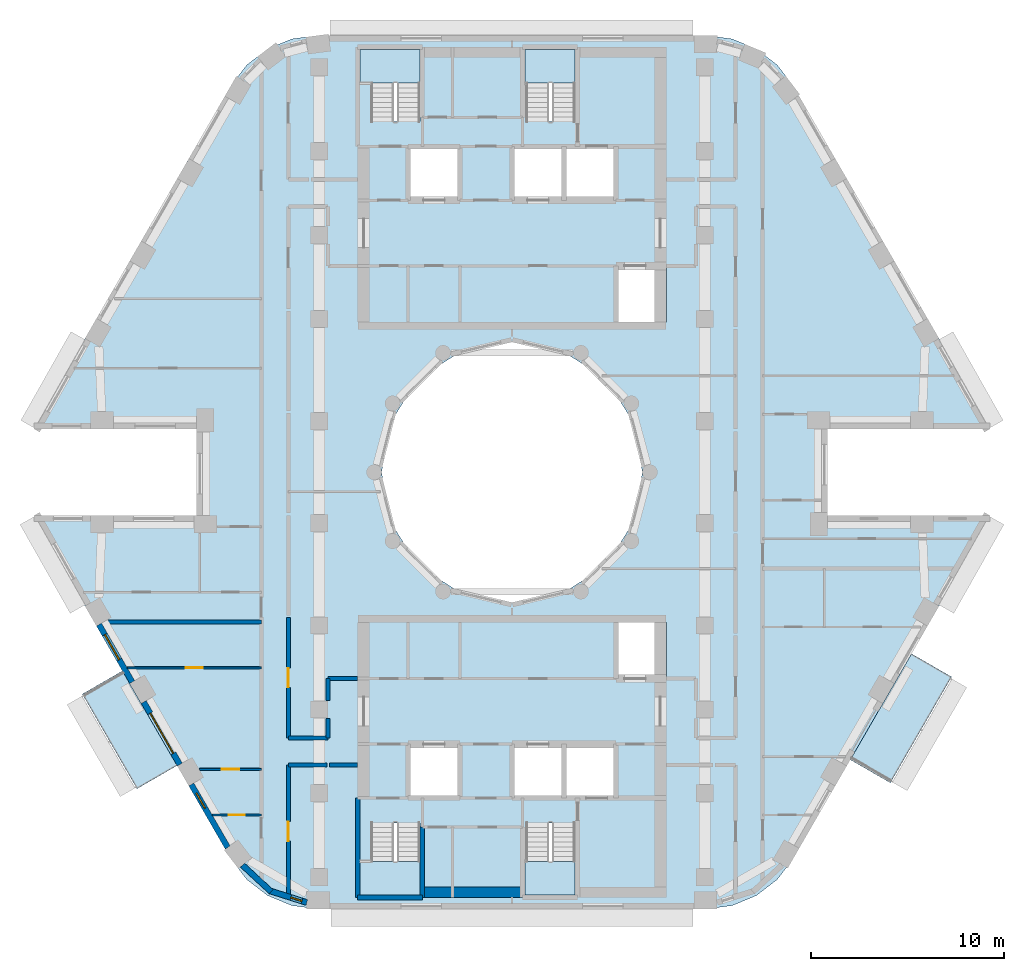
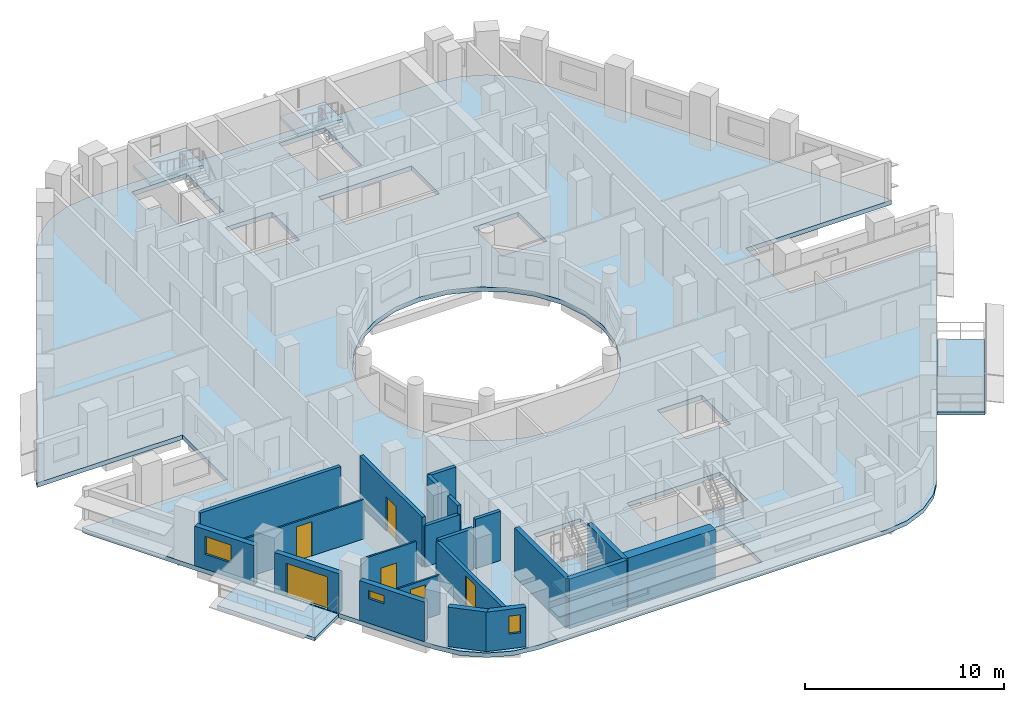
# One storey, part 2 of 15: 21 walls, 7 slabs, 6 doors, 3 windows, 9 openings, 4 elements without a shape of their own.
"""IFC4 building model written with IfcOpenShell, lengths in metres."""

from ifc_helpers import new_model, si_unit, direction, frame, frame_2d, origin, place, context, subcontext, project, spatial, polyline, rectangle, outline, extrude, material, layer, layer_set, type_object, element, fill, aggregate, save


model = new_model("IFC4")

# Units and contexts
model_context = context("Model", 3, precision=1e-05, world=origin(), true_north=direction((0.0, 1.0)))
body_context = subcontext(model_context, "Body", "Model", "MODEL_VIEW")
ifc_project = project(units=[si_unit("LENGTHUNIT", "METRE"), si_unit("AREAUNIT", "SQUARE_METRE"), si_unit("VOLUMEUNIT", "CUBIC_METRE"), si_unit("PLANEANGLEUNIT", "RADIAN"), si_unit("MASSUNIT", "GRAM", prefix="KILO")], contexts=[model_context])

# Site, building, storey
site_placement = place(None, origin())
site = spatial("IfcSite", under=ifc_project, at=site_placement, CompositionType="ELEMENT")
building_placement = place(site_placement, origin())
building = spatial("IfcBuilding", under=site, at=building_placement, Name="Nakaniwa Court", CompositionType="ELEMENT")
storey_placement = place(building_placement, frame((0.0, 0.0, 189.89990234375)))
storey = spatial("IfcBuildingStorey", under=building, at=storey_placement, Name="L49", CompositionType="ELEMENT", Elevation=189.89990234375)

# Slabs
ifc_material_1 = material(Name="Charcoal ceramic paver")
ifc_layer_1 = layer(ifc_material_1, 0.02, Name="Ceramic paver")
ifc_material_2 = material(Name="Cement sand screed")
ifc_layer_2 = layer(ifc_material_2, 0.03, Name="Falls screed")
ifc_material_3 = material(Name="Concrete C40/50", Category="concrete")
ifc_layer_3 = layer(ifc_material_3, 0.15, Name="Balcony slab")
ifc_layer_set_1 = layer_set([ifc_layer_1, ifc_layer_2, ifc_layer_3], Name="Concrete C40/50 balcony slab with ceramic paver finish")
slab_type_1 = type_object("IfcSlabType", Name="Balcony slab 200", PredefinedType="FLOOR", material=ifc_layer_set_1)
slab_1_placement = place(storey_placement, frame((0.0, 0.0, -0.25)))
element("IfcSlab", 1, at=slab_1_placement, inside=storey, type_object=slab_type_1, Name="L49 balcony 01", PredefinedType="FLOOR", context=body_context, shape_type="SweptSolid", body=[
    extrude(outline(polyline([(59.794677734375, 69.696533203125), (62.629150390625, 64.787353515625), (60.55078125, 63.58740234375), (57.71630859375, 68.49658203125), (59.794677734375, 69.696533203125)])), origin(), (0.0, 0.0, 1.0), 0.2001953125),
])
slab_2_placement = place(storey_placement, frame((0.0, 0.0, -0.25)))
element("IfcSlab", 2, at=slab_2_placement, inside=storey, type_object=slab_type_1, Name="L49 balcony 02", PredefinedType="FLOOR", context=body_context, shape_type="SweptSolid", body=[
    extrude(outline(polyline([(97.546142578125, 65.0908203125), (100.71923828125, 70.58642578125), (102.797607421875, 69.386474609375), (99.62451171875, 63.890625), (97.546142578125, 65.0908203125)])), origin(), (0.0, 0.0, 1.0), 0.2001953125),
])
ifc_material_4 = material(Name="Concrete C80/100", Category="concrete")
ifc_layer_4 = layer(ifc_material_4, 0.27490234375)
ifc_layer_set_2 = layer_set([ifc_layer_4], Name="Concrete C80/100")
slab_type_2 = type_object("IfcSlabType", Name="Concrete C80/100 post tensioned floor slab 275", PredefinedType="FLOOR", material=ifc_layer_set_2)
slab_3_placement = place(storey_placement, frame((0.0, 0.0, -0.27490234375)))
element("IfcSlab", 3, at=slab_3_placement, inside=storey, type_object=slab_type_2, Name="FLOOR SLAB", PredefinedType="FLOOR", context=body_context, shape_type="SweptSolid", body=[
    extrude(outline(polyline([(96.349609375, 82.25), (104.7978515625, 82.25), (104.65283203125, 82.60009765625), (94.578125, 100.050048828125), (93.751708984375, 101.126953125), (92.6748046875, 101.953369140625), (91.420654296875, 102.472900390625), (90.07470703125, 102.64990234375), (69.92529296875, 102.64990234375), (68.579345703125, 102.472900390625), (67.3251953125, 101.953369140625), (66.248291015625, 101.126953125), (65.421875, 100.050048828125), (55.34716796875, 82.60009765625), (55.2021484375, 82.25), (63.650390625, 82.25), (63.650390625, 77.75), (55.2021484375, 77.75), (55.34716796875, 77.39990234375), (65.421875, 59.949951171875), (66.248291015625, 58.873046875), (67.3251953125, 58.046630859375), (68.579345703125, 57.527099609375), (69.92529296875, 57.35009765625), (90.07470703125, 57.35009765625), (91.420654296875, 57.527099609375), (92.6748046875, 58.046630859375), (93.751708984375, 58.873046875), (94.578125, 59.949951171875), (104.65283203125, 77.39990234375), (104.7978515625, 77.75), (96.349609375, 77.75), (96.349609375, 82.25)]), holes=[polyline([(81.501953125, 86.580810546875), (80.0, 86.75), (78.498046875, 86.580810546875), (77.0712890625, 86.08154296875), (75.79150390625, 85.27734375), (74.72265625, 84.20849609375), (73.91845703125, 82.9287109375), (73.419189453125, 81.501953125), (73.25, 80.0), (73.419189453125, 78.498046875), (73.91845703125, 77.0712890625), (74.72265625, 75.79150390625), (75.79150390625, 74.72265625), (77.0712890625, 73.91845703125), (78.498046875, 73.419189453125), (80.0, 73.25), (81.501953125, 73.419189453125), (82.9287109375, 73.91845703125), (84.20849609375, 74.72265625), (85.27734375, 75.79150390625), (86.08154296875, 77.0712890625), (86.580810546875, 78.498046875), (86.75, 80.0), (86.580810546875, 81.501953125), (86.08154296875, 82.9287109375), (85.27734375, 84.20849609375), (84.20849609375, 85.27734375), (82.9287109375, 86.08154296875), (81.501953125, 86.580810546875)]), polyline([(72.675048828125, 61.81005859375), (72.675048828125, 59.864990234375), (72.0849609375, 59.864990234375), (72.0849609375, 58.034912109375), (75.264892578125, 58.034912109375), (75.264892578125, 59.864990234375), (75.22509765625, 59.864990234375), (75.22509765625, 61.81005859375), (72.675048828125, 61.81005859375)]), polyline([(77.300048828125, 65.89990234375), (74.60009765625, 65.89990234375), (74.60009765625, 63.10009765625), (77.300048828125, 63.10009765625), (77.300048828125, 65.89990234375)]), polyline([(80.0, 65.89990234375), (80.0, 63.10009765625), (82.699951171875, 63.10009765625), (85.39990234375, 63.10009765625), (85.39990234375, 65.89990234375), (82.699951171875, 65.89990234375), (80.0, 65.89990234375)]), polyline([(77.300048828125, 96.89990234375), (74.60009765625, 96.89990234375), (74.60009765625, 94.10009765625), (77.300048828125, 94.10009765625), (77.300048828125, 96.89990234375)]), polyline([(80.0, 96.89990234375), (80.0, 94.10009765625), (82.699951171875, 94.10009765625), (85.39990234375, 94.10009765625), (85.39990234375, 96.89990234375), (82.699951171875, 96.89990234375), (80.0, 96.89990234375)]), polyline([(75.264892578125, 100.135009765625), (75.264892578125, 101.965087890625), (72.0849609375, 101.965087890625), (72.0849609375, 100.135009765625), (72.675048828125, 100.135009765625), (72.675048828125, 98.18994140625), (75.22509765625, 98.18994140625), (75.22509765625, 100.135009765625), (75.264892578125, 100.135009765625)]), polyline([(83.27490234375, 61.81005859375), (80.72509765625, 61.81005859375), (80.72509765625, 59.864990234375), (80.635009765625, 59.864990234375), (80.635009765625, 58.034912109375), (83.31494140625, 58.034912109375), (83.31494140625, 59.864990234375), (83.27490234375, 59.864990234375), (83.27490234375, 61.81005859375)]), polyline([(88.0, 72.199951171875), (85.39990234375, 72.199951171875), (85.39990234375, 69.300048828125), (88.0, 69.300048828125), (88.0, 72.199951171875)]), polyline([(88.0, 90.699951171875), (85.39990234375, 90.699951171875), (85.39990234375, 87.800048828125), (88.0, 87.800048828125), (88.0, 90.699951171875)]), polyline([(83.31494140625, 100.135009765625), (83.31494140625, 101.965087890625), (80.635009765625, 101.965087890625), (80.635009765625, 100.135009765625), (80.72509765625, 100.135009765625), (80.72509765625, 98.18994140625), (83.27490234375, 98.18994140625), (83.27490234375, 100.135009765625), (83.31494140625, 100.135009765625)])]), origin(), (0.0, 0.0, 1.0), 0.27490234375),
])

# Stair, slab
stair_type = type_object("IfcStairType", Name="Dog leg stair 1200 wide 18 risers", PredefinedType="HALF_TURN_STAIR", material=ifc_material_4)
stair_1_placement = place(storey_placement, origin())
stair_1 = element("IfcStair", 4, at=stair_1_placement, inside=storey, type_object=stair_type, Name="L49 Stair ST1", PredefinedType="HALF_TURN_STAIR")
ifc_layer_5 = layer(ifc_material_4, 0.199951171875)
ifc_layer_set_3 = layer_set([ifc_layer_5], Name="Concrete C80/100")
slab_type_3 = type_object("IfcSlabType", Name="Stair landing concrete", PredefinedType="LANDING", material=ifc_layer_set_3)
slab_4_placement = place(storey_placement, frame((0.0, 0.0, 1.4501953125)))
slab_4 = element("IfcSlab", 5, at=slab_4_placement, type_object=slab_type_3, Name="ST1 landing 1", PredefinedType="LANDING", context=body_context, shape_type="SweptSolid", body=[
    extrude(outline(polyline([(75.22509765625, 100.175048828125), (75.22509765625, 101.925048828125), (72.125, 101.925048828125), (72.125, 100.175048828125), (75.22509765625, 100.175048828125)])), origin(), (0.0, 0.0, 1.0), 0.199951171875),
])
aggregate(stair_1, [slab_4])

stair_2_placement = place(storey_placement, origin())
stair_2 = element("IfcStair", 6, at=stair_2_placement, inside=storey, type_object=stair_type, Name="L49 Stair ST2", PredefinedType="HALF_TURN_STAIR")
slab_5_placement = place(storey_placement, frame((0.0, 0.0, 1.4501953125)))
slab_5 = element("IfcSlab", 7, at=slab_5_placement, type_object=slab_type_3, Name="ST2 landing 1", PredefinedType="LANDING", context=body_context, shape_type="SweptSolid", body=[
    extrude(outline(polyline([(83.27490234375, 100.175048828125), (83.27490234375, 101.925048828125), (80.675048828125, 101.925048828125), (80.675048828125, 100.175048828125), (83.27490234375, 100.175048828125)])), origin(), (0.0, 0.0, 1.0), 0.199951171875),
])
aggregate(stair_2, [slab_5])

stair_3_placement = place(storey_placement, origin())
stair_3 = element("IfcStair", 8, at=stair_3_placement, inside=storey, type_object=stair_type, Name="L49 Stair ST3", PredefinedType="HALF_TURN_STAIR")
slab_6_placement = place(storey_placement, frame((0.0, 0.0, 1.4501953125)))
slab_6 = element("IfcSlab", 9, at=slab_6_placement, type_object=slab_type_3, Name="ST3 landing 1", PredefinedType="LANDING", context=body_context, shape_type="SweptSolid", body=[
    extrude(outline(polyline([(75.22509765625, 58.074951171875), (75.22509765625, 59.824951171875), (72.125, 59.824951171875), (72.125, 58.074951171875), (75.22509765625, 58.074951171875)])), origin(), (0.0, 0.0, 1.0), 0.199951171875),
])
aggregate(stair_3, [slab_6])

stair_4_placement = place(storey_placement, origin())
stair_4 = element("IfcStair", 10, at=stair_4_placement, inside=storey, type_object=stair_type, Name="L49 Stair ST4", PredefinedType="HALF_TURN_STAIR")
slab_7_placement = place(storey_placement, frame((0.0, 0.0, 1.4501953125)))
slab_7 = element("IfcSlab", 11, at=slab_7_placement, type_object=slab_type_3, Name="ST4 landing 1", PredefinedType="LANDING", context=body_context, shape_type="SweptSolid", body=[
    extrude(outline(polyline([(83.27490234375, 58.074951171875), (83.27490234375, 59.824951171875), (80.675048828125, 59.824951171875), (80.675048828125, 58.074951171875), (83.27490234375, 58.074951171875)])), origin(), (0.0, 0.0, 1.0), 0.199951171875),
])
aggregate(stair_4, [slab_7])

# Walls
ifc_material_5 = material(Name="Acoustic double stud partition")
ifc_layer_6 = layer(ifc_material_5, 0.199951171875)
ifc_layer_set_4 = layer_set([ifc_layer_6], Name="Acoustic double stud partition")
wall_type_1 = type_object("IfcWallType", Name="Acoustic double stud partition 200", PredefinedType="PARTITIONING", material=ifc_layer_set_4)
wall_1_placement = place(storey_placement, frame((68.39990234375, 64.824951171875, 0.0), z_axis=(0.0, 0.0, 1.0), x_axis=(1.0, 0.0, 0.0)))
element("IfcWall", 12, at=wall_1_placement, inside=storey, type_object=wall_type_1, Name="Partition PW-074", PredefinedType="PARTITIONING", context=body_context, shape_type="SweptSolid", body=[
    extrude(rectangle(XDim=2.012939453125, YDim=0.199951171875, at=frame_2d((1.00634765625, 0.0))), origin(), (0.0, 0.0, 1.0), 2.505126953125),
])
wall_2_placement = place(storey_placement, frame((70.527099609375, 64.824951171875, 0.0), z_axis=(0.0, 0.0, 1.0), x_axis=(1.0, 0.0, 0.0)))
element("IfcWall", 13, at=wall_2_placement, inside=storey, type_object=wall_type_1, Name="Partition PW-075", PredefinedType="PARTITIONING", context=body_context, shape_type="SweptSolid", body=[
    extrude(rectangle(XDim=1.472900390625, YDim=0.199951171875, at=frame_2d((0.736328125, 0.0))), origin(), (0.0, 0.0, 1.0), 3.025146484375),
])
wall_3_placement = place(storey_placement, frame((70.449951171875, 69.300048828125, 0.0), z_axis=(0.0, 0.0, 1.0), x_axis=(1.0, 0.0, 0.0)))
element("IfcWall", 14, at=wall_3_placement, inside=storey, type_object=wall_type_1, Name="Partition PW-079", PredefinedType="PARTITIONING", context=body_context, shape_type="SweptSolid", body=[
    extrude(rectangle(XDim=1.550048828125, YDim=0.199951171875, at=frame_2d((0.77490234375, 0.0))), origin(), (0.0, 0.0, 1.0), 3.025146484375),
])
wall_4_placement = place(storey_placement, frame((68.39990234375, 66.22509765625, 0.0), z_axis=(0.0, 0.0, 1.0), x_axis=(1.0, 0.0, 0.0)))
element("IfcWall", 15, at=wall_4_placement, inside=storey, type_object=wall_type_1, Name="Partition PW-085", PredefinedType="PARTITIONING", context=body_context, shape_type="SweptSolid", body=[
    extrude(rectangle(XDim=2.050048828125, YDim=0.199951171875, at=frame_2d((1.02490234375, 0.0))), origin(), (0.0, 0.0, 1.0), 2.505126953125),
])

# Wall, opening, door
wall_5_placement = place(storey_placement, frame((68.39990234375, 64.824951171875, 0.0), z_axis=(0.0, 0.0, 1.0), x_axis=(0.0, -1.0, 0.0)))
wall_5 = element("IfcWall", 16, at=wall_5_placement, inside=storey, type_object=wall_type_1, Name="Partition PW-095", PredefinedType="PARTITIONING", context=body_context, shape_type="SweptSolid", body=[
    extrude(rectangle(XDim=6.898681640625, YDim=0.199951171875, at=frame_2d((3.44921875, 0.0))), origin(), (0.0, 0.0, 1.0), 2.405029296875),
])
opening_1_placement = place(wall_5_placement, frame((2.949951171875, 0.0, 0.0)))
opening_1 = element("IfcOpeningElement", 17, at=opening_1_placement, cuts=wall_5, Name="Opening D-02-05", PredefinedType="OPENING", context=body_context, shape_type="SweptSolid", body=[
    extrude(rectangle(XDim=1.0, YDim=2.10009765625, at=frame_2d((0.5, 1.050048828125))), frame((0.0, 0.10986328125, 0.0), z_axis=(0.0, -1.0, 0.0), x_axis=(1.0, 0.0, 0.0)), (0.0, 0.0, 1.0), 0.219970703125),
])
ifc_material_6 = material(Name="Solid core timber door set, black veneer", Category="wood")
door_type_1 = type_object("IfcDoorType", Name="Internal door 1000", OperationType="NOTDEFINED", PredefinedType="DOOR", material=ifc_material_6)
door_1_placement = place(opening_1_placement, origin())
door_1 = element("IfcDoor", 18, at=door_1_placement, inside=storey, type_object=door_type_1, Name="Door D-02-05 L49-036", OperationType="SINGLE_SWING_LEFT", OverallHeight=2.10009765625, OverallWidth=1.0, PredefinedType="DOOR", context=body_context, shape_type="SweptSolid", body=[
    extrude(rectangle(XDim=1.0, YDim=2.10009765625, at=frame_2d((0.5, 1.050048828125))), frame((0.0, 0.02490234375, 0.0), z_axis=(0.0, -1.0, 0.0), x_axis=(1.0, 0.0, 0.0)), (0.0, 0.0, 1.0), 0.050048828125),
])
fill(opening_1, door_1)

wall_6_placement = place(storey_placement, frame((68.39990234375, 72.462890625, 0.0), z_axis=(0.0, 0.0, 1.0), x_axis=(0.0, -1.0, 0.0)))
wall_6 = element("IfcWall", 19, at=wall_6_placement, inside=storey, type_object=wall_type_1, Name="Partition PW-096", PredefinedType="PARTITIONING", context=body_context, shape_type="SweptSolid", body=[
    extrude(rectangle(XDim=6.23779296875, YDim=0.199951171875, at=frame_2d((3.118896484375, 0.0))), origin(), (0.0, 0.0, 1.0), 3.025146484375),
])
opening_2_placement = place(wall_6_placement, frame((2.6201171875, 0.0, 0.0)))
opening_2 = element("IfcOpeningElement", 20, at=opening_2_placement, cuts=wall_6, Name="Opening D-02-06", PredefinedType="OPENING", context=body_context, shape_type="SweptSolid", body=[
    extrude(rectangle(XDim=1.0, YDim=2.10009765625, at=frame_2d((0.5, 1.050048828125))), frame((0.0, 0.10986328125, 0.0), z_axis=(0.0, -1.0, 0.0), x_axis=(1.0, 0.0, 0.0)), (0.0, 0.0, 1.0), 0.219970703125),
])
door_2_placement = place(opening_2_placement, origin())
door_2 = element("IfcDoor", 21, at=door_2_placement, inside=storey, type_object=door_type_1, Name="Door D-02-06 L49-041", OperationType="SINGLE_SWING_RIGHT", OverallHeight=2.10009765625, OverallWidth=1.0, PredefinedType="DOOR", context=body_context, shape_type="SweptSolid", body=[
    extrude(rectangle(XDim=1.0, YDim=2.10009765625, at=frame_2d((0.5, 1.050048828125))), frame((0.0, 0.02490234375, 0.0), z_axis=(0.0, -1.0, 0.0), x_axis=(1.0, 0.0, 0.0)), (0.0, 0.0, 1.0), 0.050048828125),
])
fill(opening_2, door_2)

# Walls
wall_7_placement = place(storey_placement, frame((70.449951171875, 66.22509765625, 0.0), z_axis=(0.0, 0.0, 1.0), x_axis=(0.0, 1.0, 0.0)))
element("IfcWall", 22, at=wall_7_placement, inside=storey, type_object=wall_type_1, Name="Partition PW-103", PredefinedType="PARTITIONING", context=body_context, shape_type="SweptSolid", body=[
    extrude(rectangle(XDim=1.0078125, YDim=0.199951171875, at=frame_2d((0.50390625, 0.0))), origin(), (0.0, 0.0, 1.0), 3.025146484375),
])
wall_8_placement = place(storey_placement, frame((70.449951171875, 68.167236328125, 0.0), z_axis=(0.0, 0.0, 1.0), x_axis=(0.0, 1.0, 0.0)))
element("IfcWall", 23, at=wall_8_placement, inside=storey, type_object=wall_type_1, Name="Partition PW-104", PredefinedType="PARTITIONING", context=body_context, shape_type="SweptSolid", body=[
    extrude(rectangle(XDim=1.1328125, YDim=0.199951171875, at=frame_2d((0.56640625, 0.0))), origin(), (0.0, 0.0, 1.0), 3.025146484375),
])
wall_9_placement = place(storey_placement, frame((58.8408203125, 72.22509765625, 0.0), z_axis=(0.0, 0.0, 1.0), x_axis=(1.0, 0.0, 0.0)))
element("IfcWall", 24, at=wall_9_placement, inside=storey, type_object=wall_type_1, Name="Partition PW-125", PredefinedType="PARTITIONING", context=body_context, shape_type="SweptSolid", body=[
    extrude(rectangle(XDim=8.158203125, YDim=0.199951171875, at=frame_2d((4.0791015625, 0.0))), origin(), (0.0, 0.0, 1.0), 3.025146484375),
])

# Wall, opening, window
ifc_material_7 = material(Name="Charcoal ceramic cladding")
ifc_layer_7 = layer(ifc_material_7, 0.02, Name="Ceramic cladding")
ifc_material_8 = material(Name="Ventilated air cavity")
ifc_layer_8 = layer(ifc_material_8, 0.04, ventilated=True, Name="Ventilated cavity")
ifc_material_9 = material(Name="Mineral wool insulation")
ifc_layer_9 = layer(ifc_material_9, 0.1, Name="Insulation")
ifc_material_10 = material(Name="Cement bonded sheathing board")
ifc_layer_10 = layer(ifc_material_10, 0.012, Name="Sheathing")
ifc_material_11 = material(Name="Cold-formed galvanised stud frame with mineral wool infill")
ifc_layer_11 = layer(ifc_material_11, 0.1, Name="Stud frame")
ifc_material_12 = material(Name="Fire-rated gypsum plasterboard lining")
ifc_layer_12 = layer(ifc_material_12, 0.028, Name="Lining")
ifc_layer_set_5 = layer_set([ifc_layer_7, ifc_layer_8, ifc_layer_9, ifc_layer_10, ifc_layer_11, ifc_layer_12], Name="Charcoal ceramic faced external wall system")
wall_type_2 = type_object("IfcWallType", Name="Black ceramic faced external wall 300", PredefinedType="SOLIDWALL", material=ifc_layer_set_5)
wall_10_placement = place(storey_placement, frame((58.579345703125, 72.101806640625, 0.0), z_axis=(0.0, 0.0, 1.0), x_axis=(0.499955427682, -0.866051136095, 0.0)))
wall_10 = element("IfcWall", 25, at=wall_10_placement, inside=storey, type_object=wall_type_2, Name="L49 external wall 21", PredefinedType="SOLIDWALL", context=body_context, shape_type="SweptSolid", body=[
    extrude(rectangle(XDim=3.447021484375, YDim=0.300048828125, at=frame_2d((1.7236328125, 0.0))), origin(), (0.0, 0.0, 1.0), 2.425048828125),
])
opening_3_placement = place(wall_10_placement, frame((0.607421875, 0.0, 0.89990234375)))
opening_3 = element("IfcOpeningElement", 26, at=opening_3_placement, cuts=wall_10, Name="Opening W5.24", PredefinedType="OPENING", context=body_context, shape_type="SweptSolid", body=[
    extrude(rectangle(XDim=1.5, YDim=1.10009765625, at=frame_2d((0.75, 0.550048828125))), frame((0.0, 0.159912109375, 0.0), z_axis=(0.0, -1.0, 0.0), x_axis=(1.0, 0.0, 0.0)), (0.0, 0.0, 1.0), 0.320068359375),
])
ifc_material_13 = material(Name="Black anodised aluminium frame with dark low-E laminated double glazing", Category="aluminium")
window_type_1 = type_object("IfcWindowType", Name="Dark glass window 1500x1100 sill 900", PartitioningType="SINGLE_PANEL", PredefinedType="WINDOW", material=ifc_material_13)
window_1_placement = place(opening_3_placement, origin())
window_1 = element("IfcWindow", 27, at=window_1_placement, inside=storey, type_object=window_type_1, Name="L49 habitable room window 21-1", OverallHeight=1.10009765625, OverallWidth=1.5, PartitioningType="SINGLE_PANEL", PredefinedType="WINDOW", context=body_context, shape_type="SweptSolid", body=[
    extrude(rectangle(XDim=1.5, YDim=1.10009765625, at=frame_2d((0.75, 0.550048828125))), frame((0.0, 0.030029296875, 0.0), z_axis=(0.0, -1.0, 0.0), x_axis=(1.0, 0.0, 0.0)), (0.0, 0.0, 1.0), 0.06005859375),
])
fill(opening_3, window_1)

# Wall, opening, door
wall_11_placement = place(storey_placement, frame((60.898681640625, 68.083984375, 0.0), z_axis=(0.0, 0.0, 1.0), x_axis=(0.500059225181, -0.86599120741, 0.0)))
wall_11 = element("IfcWall", 28, at=wall_11_placement, inside=storey, type_object=wall_type_2, Name="L49 external wall 22", PredefinedType="SOLIDWALL", context=body_context, shape_type="SweptSolid", body=[
    extrude(rectangle(XDim=3.744140625, YDim=0.300048828125, at=frame_2d((1.8720703125, 0.0))), origin(), (0.0, 0.0, 1.0), 2.425048828125),
])
opening_4_placement = place(wall_11_placement, frame((0.672119140625, 0.0, 0.0)))
opening_4 = element("IfcOpeningElement", 29, at=opening_4_placement, cuts=wall_11, Name="Opening XD13.01", PredefinedType="OPENING", context=body_context, shape_type="SweptSolid", body=[
    extrude(rectangle(XDim=2.39990234375, YDim=2.0, at=frame_2d((1.199951171875, 1.0))), frame((0.0, 0.159912109375, 0.0), z_axis=(0.0, -1.0, 0.0), x_axis=(1.0, 0.0, 0.0)), (0.0, 0.0, 1.0), 0.320068359375),
])
ifc_material_14 = material(Name="Black powder-coated aluminium frame with dark laminated glass", Category="aluminium")
door_type_2 = type_object("IfcDoorType", Name="Balcony sliding door 2400x2000", OperationType="DOUBLE_DOOR_SLIDING", PredefinedType="DOOR", material=ifc_material_14)
door_3_placement = place(opening_4_placement, origin())
door_3 = element("IfcDoor", 30, at=door_3_placement, inside=storey, type_object=door_type_2, Name="L49 balcony sliding door 01", OperationType="DOUBLE_DOOR_SLIDING", OverallHeight=2.0, OverallWidth=2.39990234375, PredefinedType="DOOR", context=body_context, shape_type="SweptSolid", body=[
    extrude(rectangle(XDim=2.39990234375, YDim=2.0, at=frame_2d((1.199951171875, 1.0))), frame((0.0, 0.02490234375, 0.0), z_axis=(0.0, -1.0, 0.0), x_axis=(1.0, 0.0, 0.0)), (0.0, 0.0, 1.0), 0.050048828125),
])
fill(opening_4, door_3)

# Wall, opening, window
wall_12_placement = place(storey_placement, frame((63.366943359375, 63.809326171875, 0.0), z_axis=(0.0, 0.0, 1.0), x_axis=(0.499961087031, -0.866047869032, 0.0)))
wall_12 = element("IfcWall", 31, at=wall_12_placement, inside=storey, type_object=wall_type_2, Name="L49 external wall 23", PredefinedType="SOLIDWALL", context=body_context, shape_type="SweptSolid", body=[
    extrude(rectangle(XDim=3.778564453125, YDim=0.300048828125, at=frame_2d((1.88916015625, 0.0))), origin(), (0.0, 0.0, 1.0), 2.425048828125),
])
opening_5_placement = place(wall_12_placement, frame((0.525634765625, 0.0, 1.5)))
opening_5 = element("IfcOpeningElement", 32, at=opening_5_placement, cuts=wall_12, Name="Opening W10.25", PredefinedType="OPENING", context=body_context, shape_type="SweptSolid", body=[
    extrude(rectangle(XDim=0.89990234375, YDim=0.5, at=frame_2d((0.449951171875, 0.25))), frame((0.0, 0.159912109375, 0.0), z_axis=(0.0, -1.0, 0.0), x_axis=(1.0, 0.0, 0.0)), (0.0, 0.0, 1.0), 0.320068359375),
])
window_type_2 = type_object("IfcWindowType", Name="Dark glass window 900x500 sill 1500", PartitioningType="SINGLE_PANEL", PredefinedType="WINDOW", material=ifc_material_13)
window_2_placement = place(opening_5_placement, origin())
window_2 = element("IfcWindow", 33, at=window_2_placement, inside=storey, type_object=window_type_2, Name="L49 bathroom window 23-0", OverallHeight=0.5, OverallWidth=0.89990234375, PartitioningType="SINGLE_PANEL", PredefinedType="WINDOW", context=body_context, shape_type="SweptSolid", body=[
    extrude(rectangle(XDim=0.89990234375, YDim=0.5, at=frame_2d((0.449951171875, 0.25))), frame((0.0, 0.030029296875, 0.0), z_axis=(0.0, -1.0, 0.0), x_axis=(1.0, 0.0, 0.0)), (0.0, 0.0, 1.0), 0.06005859375),
])
fill(opening_5, window_2)

# Wall
wall_13_placement = place(storey_placement, frame((66.0224609375, 59.622314453125, 0.0), z_axis=(0.0, 0.0, 1.0), x_axis=(0.734627852992, -0.678470277616, 0.0)))
element("IfcWall", 34, at=wall_13_placement, inside=storey, type_object=wall_type_2, Name="L49 external wall 24", PredefinedType="SOLIDWALL", context=body_context, shape_type="SweptSolid", body=[
    extrude(rectangle(XDim=2.02587890625, YDim=0.300048828125, at=frame_2d((1.012939453125, 0.0))), origin(), (0.0, 0.0, 1.0), 2.425048828125),
])

# Wall, opening, window
wall_14_placement = place(storey_placement, frame((67.40576171875, 58.3017578125, 0.0), z_axis=(0.0, 0.0, 1.0), x_axis=(0.953537608367, -0.301274010545, 0.0)))
wall_14 = element("IfcWall", 35, at=wall_14_placement, inside=storey, type_object=wall_type_2, Name="L49 external wall 25", PredefinedType="SOLIDWALL", context=body_context, shape_type="SweptSolid", body=[
    extrude(rectangle(XDim=2.0478515625, YDim=0.300048828125, at=frame_2d((1.02392578125, 0.0))), origin(), (0.0, 0.0, 1.0), 2.425048828125),
])
opening_6_placement = place(wall_14_placement, frame((1.1796875, 0.0, 0.89990234375)))
opening_6 = element("IfcOpeningElement", 36, at=opening_6_placement, cuts=wall_14, Name="Opening W8.26", PredefinedType="OPENING", context=body_context, shape_type="SweptSolid", body=[
    extrude(rectangle(XDim=0.60009765625, YDim=1.10009765625, at=frame_2d((0.300048828125, 0.550048828125))), frame((0.0, 0.159912109375, 0.0), z_axis=(0.0, -1.0, 0.0), x_axis=(1.0, 0.0, 0.0)), (0.0, 0.0, 1.0), 0.320068359375),
])
window_type_3 = type_object("IfcWindowType", Name="Dark glass window 600x1100 sill 900", PartitioningType="SINGLE_PANEL", PredefinedType="WINDOW", material=ifc_material_13)
window_3_placement = place(opening_6_placement, origin())
window_3 = element("IfcWindow", 37, at=window_3_placement, inside=storey, type_object=window_type_3, Name="L49 habitable room window 25-1", OverallHeight=1.10009765625, OverallWidth=0.60009765625, PartitioningType="SINGLE_PANEL", PredefinedType="WINDOW", context=body_context, shape_type="SweptSolid", body=[
    extrude(rectangle(XDim=0.60009765625, YDim=1.10009765625, at=frame_2d((0.300048828125, 0.550048828125))), frame((0.0, 0.030029296875, 0.0), z_axis=(0.0, -1.0, 0.0), x_axis=(1.0, 0.0, 0.0)), (0.0, 0.0, 1.0), 0.06005859375),
])
fill(opening_6, window_3)

# Walls
ifc_layer_13 = layer(ifc_material_4, 0.25)
ifc_layer_set_6 = layer_set([ifc_layer_13], Name="Concrete C80/100")
wall_type_3 = type_object("IfcWallType", Name="Concrete core wall 250 C80", PredefinedType="SHEAR", material=ifc_layer_set_6)
wall_15_placement = place(storey_placement, frame((72.0, 57.949951171875, -0.27490234375), z_axis=(0.0, 0.0, 1.0), x_axis=(0.0, 1.0, 0.0)))
element("IfcWall", 38, at=wall_15_placement, inside=storey, type_object=wall_type_3, Name="Core wall SW-57", PredefinedType="SHEAR", context=body_context, shape_type="SweptSolid", body=[
    extrude(rectangle(XDim=5.150146484375, YDim=0.25, at=frame_2d((2.5751953125, 0.0))), origin(), (0.0, 0.0, 1.0), 3.300048828125),
])
wall_16_placement = place(storey_placement, frame((72.0, 57.949951171875, -0.27490234375), z_axis=(0.0, 0.0, 1.0), x_axis=(1.0, 0.0, 0.0)))
element("IfcWall", 39, at=wall_16_placement, inside=storey, type_object=wall_type_3, Name="Core wall SW-58", PredefinedType="SHEAR", context=body_context, shape_type="SweptSolid", body=[
    extrude(rectangle(XDim=3.35009765625, YDim=0.25, at=frame_2d((1.675048828125, 0.0))), origin(), (0.0, 0.0, 1.0), 3.300048828125),
])
ifc_layer_14 = layer(ifc_material_4, 0.550048828125)
ifc_layer_set_7 = layer_set([ifc_layer_14], Name="Concrete C80/100")
wall_type_4 = type_object("IfcWallType", Name="Concrete core wall 550 C80", PredefinedType="SHEAR", material=ifc_layer_set_7)
wall_17_placement = place(storey_placement, frame((75.35009765625, 58.22509765625, -0.27490234375), z_axis=(0.0, 0.0, 1.0), x_axis=(1.0, 0.0, 0.0)))
element("IfcWall", 40, at=wall_17_placement, inside=storey, type_object=wall_type_4, Name="Core wall SW-63", PredefinedType="SHEAR", context=body_context, shape_type="SweptSolid", body=[
    extrude(rectangle(XDim=5.199951171875, YDim=0.550048828125, at=frame_2d((2.60009765625, 0.0))), origin(), (0.0, 0.0, 1.0), 3.300048828125),
])
ifc_layer_15 = layer(ifc_material_4, 0.25)
ifc_layer_set_8 = layer_set([ifc_layer_15], Name="Concrete C80/100")
wall_type_5 = type_object("IfcWallType", Name="Concrete shaft wall 250 C80", PredefinedType="SHEAR", material=ifc_layer_set_8)
wall_18_placement = place(storey_placement, frame((75.35009765625, 57.949951171875, -0.27490234375), z_axis=(0.0, 0.0, 1.0), x_axis=(0.0, 1.0, 0.0)))
element("IfcWall", 41, at=wall_18_placement, inside=storey, type_object=wall_type_5, Name="Core wall SW-56", PredefinedType="SHEAR", context=body_context, shape_type="SweptSolid", body=[
    extrude(rectangle(XDim=3.653076171875, YDim=0.25, at=frame_2d((1.82666015625, 0.0))), origin(), (0.0, 0.0, 1.0), 3.300048828125),
])

# Wall, opening, door
ifc_material_15 = material(Name="Single stud plasterboard partition")
ifc_layer_16 = layer(ifc_material_15, 0.10009765625)
ifc_layer_set_9 = layer_set([ifc_layer_16], Name="Single stud plasterboard partition")
wall_type_6 = type_object("IfcWallType", Name="Single stud plasterboard partition 100", PredefinedType="PARTITIONING", material=ifc_layer_set_9)
wall_19_placement = place(storey_placement, frame((64.454833984375, 62.22509765625, 0.0), z_axis=(0.0, 0.0, 1.0), x_axis=(1.0, 0.0, 0.0)))
wall_19 = element("IfcWall", 42, at=wall_19_placement, inside=storey, type_object=wall_type_6, Name="Partition PW-111", PredefinedType="PARTITIONING", context=body_context, shape_type="SweptSolid", body=[
    extrude(rectangle(XDim=2.544189453125, YDim=0.10009765625, at=frame_2d((1.27197265625, 0.0))), origin(), (0.0, 0.0, 1.0), 2.405029296875),
])
opening_7_placement = place(wall_19_placement, frame((0.846923828125, 0.0, 0.0)))
opening_7 = element("IfcOpeningElement", 43, at=opening_7_placement, cuts=wall_19, Name="Opening D-03-03", PredefinedType="OPENING", context=body_context, shape_type="SweptSolid", body=[
    extrude(rectangle(XDim=0.85009765625, YDim=2.10009765625, at=frame_2d((0.425048828125, 1.050048828125))), frame((0.0, 0.06005859375, 0.0), z_axis=(0.0, -1.0, 0.0), x_axis=(1.0, 0.0, 0.0)), (0.0, 0.0, 1.0), 0.1201171875),
])
ifc_material_16 = material(Name="Moisture sealed timber door set", Category="wood")
door_type_3 = type_object("IfcDoorType", Name="Bathroom door 850", OperationType="NOTDEFINED", PredefinedType="DOOR", material=ifc_material_16)
door_4_placement = place(opening_7_placement, origin())
door_4 = element("IfcDoor", 44, at=door_4_placement, inside=storey, type_object=door_type_3, Name="Door D-03-03 L49-038", OperationType="SINGLE_SWING_LEFT", OverallHeight=2.10009765625, OverallWidth=0.85009765625, PredefinedType="DOOR", context=body_context, shape_type="SweptSolid", body=[
    extrude(rectangle(XDim=0.85009765625, YDim=2.10009765625, at=frame_2d((0.425048828125, 1.050048828125))), frame((0.0, 0.02490234375, 0.0), z_axis=(0.0, -1.0, 0.0), x_axis=(1.0, 0.0, 0.0)), (0.0, 0.0, 1.0), 0.050048828125),
])
fill(opening_7, door_4)

wall_20_placement = place(storey_placement, frame((63.80322265625, 64.593994140625, 0.0), z_axis=(0.0, 0.0, 1.0), x_axis=(1.0, 0.0, 0.0)))
wall_20 = element("IfcWall", 45, at=wall_20_placement, inside=storey, type_object=wall_type_6, Name="Partition PW-123", PredefinedType="PARTITIONING", context=body_context, shape_type="SweptSolid", body=[
    extrude(rectangle(XDim=3.19580078125, YDim=0.10009765625, at=frame_2d((1.597900390625, 0.0))), origin(), (0.0, 0.0, 1.0), 3.025146484375),
])
opening_8_placement = place(wall_20_placement, frame((1.14794921875, 0.0, 0.0)))
opening_8 = element("IfcOpeningElement", 46, at=opening_8_placement, cuts=wall_20, Name="Opening D-33-06", PredefinedType="OPENING", context=body_context, shape_type="SweptSolid", body=[
    extrude(rectangle(XDim=0.89990234375, YDim=2.10009765625, at=frame_2d((0.449951171875, 1.050048828125))), frame((0.0, 0.06005859375, 0.0), z_axis=(0.0, -1.0, 0.0), x_axis=(1.0, 0.0, 0.0)), (0.0, 0.0, 1.0), 0.1201171875),
])
door_type_4 = type_object("IfcDoorType", Name="Internal door 900", OperationType="NOTDEFINED", PredefinedType="DOOR", material=ifc_material_6)
door_5_placement = place(opening_8_placement, origin())
door_5 = element("IfcDoor", 47, at=door_5_placement, inside=storey, type_object=door_type_4, Name="Door D-33-06 L49-039", OperationType="SINGLE_SWING_RIGHT", OverallHeight=2.10009765625, OverallWidth=0.89990234375, PredefinedType="DOOR", context=body_context, shape_type="SweptSolid", body=[
    extrude(rectangle(XDim=0.89990234375, YDim=2.10009765625, at=frame_2d((0.449951171875, 1.050048828125))), frame((0.0, 0.02490234375, 0.0), z_axis=(0.0, -1.0, 0.0), x_axis=(1.0, 0.0, 0.0)), (0.0, 0.0, 1.0), 0.050048828125),
])
fill(opening_8, door_5)

wall_21_placement = place(storey_placement, frame((60.048583984375, 69.85693359375, 0.0), z_axis=(0.0, 0.0, 1.0), x_axis=(1.0, 0.0, 0.0)))
wall_21 = element("IfcWall", 48, at=wall_21_placement, inside=storey, type_object=wall_type_6, Name="Partition PW-124", PredefinedType="PARTITIONING", context=body_context, shape_type="SweptSolid", body=[
    extrude(rectangle(XDim=6.950439453125, YDim=0.10009765625, at=frame_2d((3.47509765625, 0.0))), origin(), (0.0, 0.0, 1.0), 2.405029296875),
])
opening_9_placement = place(wall_21_placement, frame((3.02490234375, 0.0, 0.0)))
opening_9 = element("IfcOpeningElement", 49, at=opening_9_placement, cuts=wall_21, Name="Opening D-33-07", PredefinedType="OPENING", context=body_context, shape_type="SweptSolid", body=[
    extrude(rectangle(XDim=0.89990234375, YDim=2.10009765625, at=frame_2d((0.449951171875, 1.050048828125))), frame((0.0, 0.06005859375, 0.0), z_axis=(0.0, -1.0, 0.0), x_axis=(1.0, 0.0, 0.0)), (0.0, 0.0, 1.0), 0.1201171875),
])
door_6_placement = place(opening_9_placement, origin())
door_6 = element("IfcDoor", 50, at=door_6_placement, inside=storey, type_object=door_type_4, Name="Door D-33-07 L49-040", OperationType="SINGLE_SWING_LEFT", OverallHeight=2.10009765625, OverallWidth=0.89990234375, PredefinedType="DOOR", context=body_context, shape_type="SweptSolid", body=[
    extrude(rectangle(XDim=0.89990234375, YDim=2.10009765625, at=frame_2d((0.449951171875, 1.050048828125))), frame((0.0, 0.02490234375, 0.0), z_axis=(0.0, -1.0, 0.0), x_axis=(1.0, 0.0, 0.0)), (0.0, 0.0, 1.0), 0.050048828125),
])
fill(opening_9, door_6)

save(model, "model.ifc")
